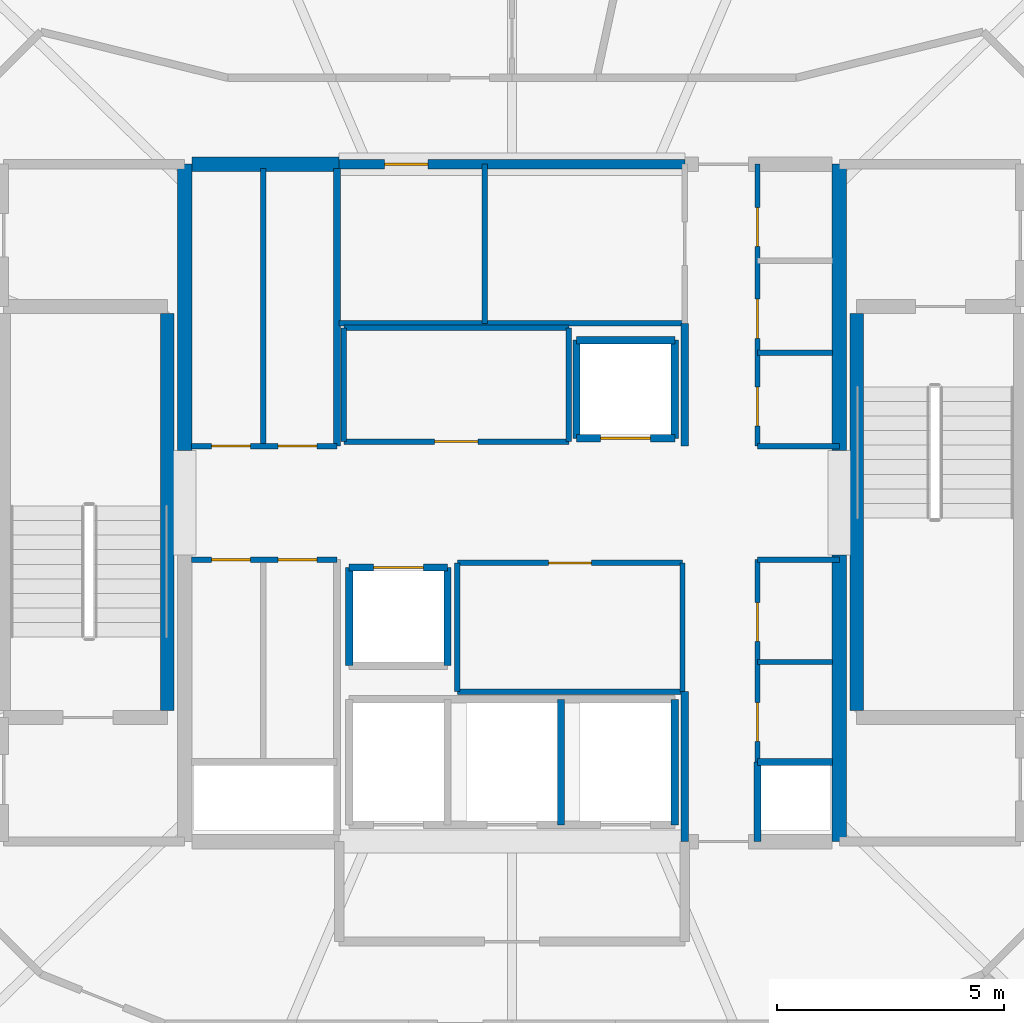
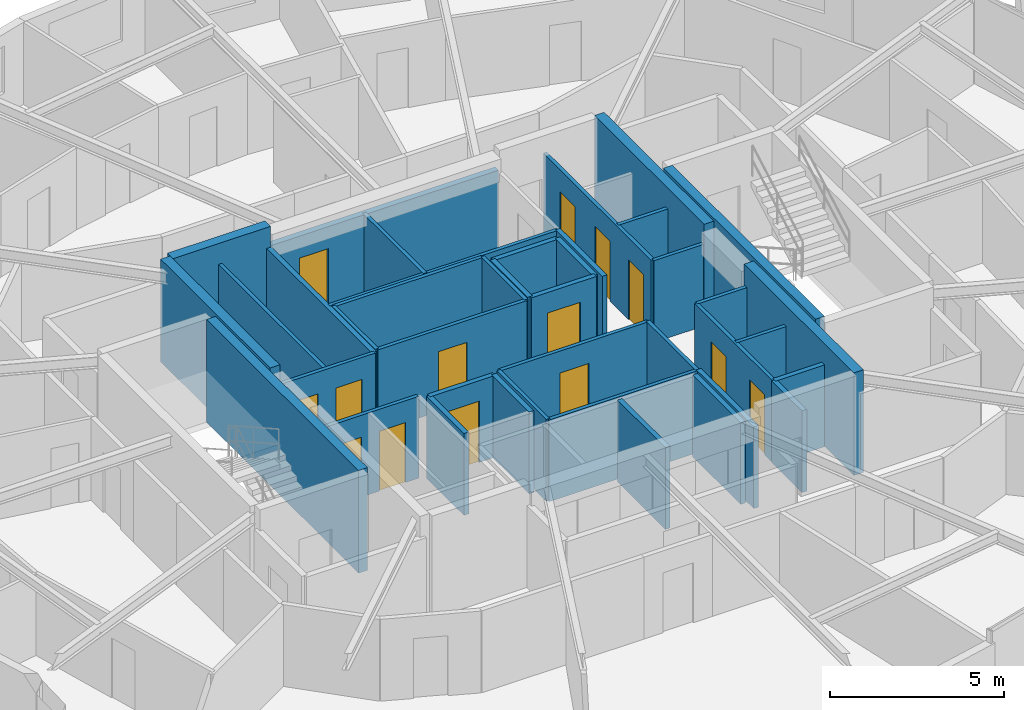
# One storey, part 13 of 17: 40 walls, 14 doors, 14 openings.
"""IFC4 building model written with IfcOpenShell, lengths in metres."""

import ifcopenshell
import ifcopenshell.guid

model = None  # the IFC model being written
_history = None  # IfcOwnerHistory: only IFC2X3 demands one
_inside = {}  # id of a spatial element -> (the spatial element, [elements in it])
_under = {}  # id of a project, library or spatial element -> (it, [spatial elements below it])
_declared = {}  # id of a project -> (the project, [libraries it declares])
_typed = {}  # id of a type object -> (the type object, [elements of that type])
_made_of = {}  # id of a material, layer set ... -> (it, [elements and type objects made of it])


def new_model(schema):
    """Start an empty IFC model of exactly this schema.

    Asked for "IFC4X3", IfcOpenShell would pick the latest addendum, in which some entities
    have other attributes; the version numbers below select the first issue.
    IFC2X3 requires an IfcOwnerHistory on every rooted entity: one is made here for all.
    """
    global model, _history
    if schema == "IFC4X3":
        model = ifcopenshell.file(schema_version=(4, 3, 0, 0))
    else:
        model = ifcopenshell.file(schema=schema)
    _inside.clear()
    _under.clear()
    _declared.clear()
    _typed.clear()
    _made_of.clear()
    _history = None
    if model.schema == "IFC2X3":
        org = make("IfcOrganization", Name="unknown")
        user = make(
            "IfcPersonAndOrganization",
            ThePerson=make("IfcPerson", FamilyName="unknown"),
            TheOrganization=org,
        )
        app = make(
            "IfcApplication",
            ApplicationDeveloper=org,
            Version="unknown",
            ApplicationFullName="unknown",
            ApplicationIdentifier="unknown",
        )
        _history = make(
            "IfcOwnerHistory",
            OwningUser=user,
            OwningApplication=app,
            ChangeAction="ADDED",
            CreationDate=0,
        )
    return model


def make(cls, **values):
    """One entity of the class cls with the attributes given. An attribute that is None is left unset."""
    return model.create_entity(
        cls, **{name: value for name, value in values.items() if value is not None}
    )


def rooted(cls, **values):
    """An entity with a GlobalId (a new one), such as an element, a storey or a relation."""
    return make(cls, GlobalId=ifcopenshell.guid.new(), OwnerHistory=_history, **values)


def si_unit(unit_type, name, prefix=None):
    """IfcSIUnit, for example si_unit("LENGTHUNIT", "METRE", prefix="MILLI")."""
    return make("IfcSIUnit", UnitType=unit_type, Prefix=prefix, Name=name)


def assignment(units):
    """IfcUnitAssignment: the units of a project."""
    return None if units is None else make("IfcUnitAssignment", Units=units)


def point(xyz):
    """IfcCartesianPoint."""
    return None if xyz is None else make("IfcCartesianPoint", Coordinates=xyz)


def direction(xyz):
    """IfcDirection."""
    return None if xyz is None else make("IfcDirection", DirectionRatios=xyz)


def frame(location, z_axis=None, x_axis=None):
    """IfcAxis2Placement3D, a coordinate frame: its origin and axes. An axis left out is left unset."""
    return make(
        "IfcAxis2Placement3D",
        Location=point(location),
        Axis=direction(z_axis),
        RefDirection=direction(x_axis),
    )


def frame_2d(location, x_axis=None):
    """IfcAxis2Placement2D, a coordinate frame in the plane: its origin and x axis."""
    return make(
        "IfcAxis2Placement2D", Location=point(location), RefDirection=direction(x_axis)
    )


def origin():
    """The frame at (0, 0, 0) with its axes left unset."""
    return frame((0.0, 0.0, 0.0))


def place(relative_to, where):
    """IfcLocalPlacement: puts the frame where relative to a parent placement (None: the world)."""
    return make(
        "IfcLocalPlacement", PlacementRelTo=relative_to, RelativePlacement=where
    )


def context(
    kind, dimensions, precision=None, world=None, true_north=None, identifier=None
):
    """IfcGeometricRepresentationContext, for example the 3D "Model" context."""
    return make(
        "IfcGeometricRepresentationContext",
        ContextIdentifier=identifier,
        ContextType=kind,
        CoordinateSpaceDimension=dimensions,
        Precision=precision,
        WorldCoordinateSystem=world,
        TrueNorth=true_north,
    )


def subcontext(parent, identifier, kind, view, scale=None):
    """IfcGeometricRepresentationSubContext, for example "Body" below "Model"."""
    return make(
        "IfcGeometricRepresentationSubContext",
        ContextIdentifier=identifier,
        ContextType=kind,
        ParentContext=parent,
        TargetScale=scale,
        TargetView=view,
    )


def project(units=None, contexts=None):
    """IfcProject with its units and contexts."""
    return rooted(
        "IfcProject",
        Name="project",
        RepresentationContexts=contexts,
        UnitsInContext=assignment(units),
    )


def spatial(cls, under=None, at=None, **own):
    """A site, building, storey or space (cls), placed at a placement, below another one or the project."""
    s = rooted(cls, ObjectPlacement=at, **own)
    if under is not None:
        _under.setdefault(under.id(), (under, []))[1].append(s)
    return s


def profile(cls, at=None, kind="AREA", **sizes):
    """A parametric profile (cls). Its sizes go by their IFC names, for example OverallWidth=200.0."""
    return make(cls, ProfileType=kind, Position=at, **sizes)


def rectangle(**sizes):
    """IfcRectangleProfileDef."""
    return profile("IfcRectangleProfileDef", **sizes)


def extrude(swept, where, along, depth):
    """IfcExtrudedAreaSolid: the profile swept, set in the frame where, extruded along a direction by depth."""
    return make(
        "IfcExtrudedAreaSolid",
        SweptArea=swept,
        Position=where,
        ExtrudedDirection=direction(along),
        Depth=depth,
    )


def shape(context_of_items, identifier, shape_type, items):
    """IfcShapeRepresentation: the items that make up one representation, for example the "Body"."""
    return make(
        "IfcShapeRepresentation",
        ContextOfItems=context_of_items,
        RepresentationIdentifier=identifier,
        RepresentationType=shape_type,
        Items=items,
    )


def material(Name=None, Category=None):
    """IfcMaterial."""
    return make("IfcMaterial", Name=Name, Category=Category)


def layer(
    of_material, thickness, ventilated=None, Name=None, Category=None, Priority=None
):
    """IfcMaterialLayer: one layer of a wall or slab, of a material (None: an air gap)."""
    return make(
        "IfcMaterialLayer",
        Material=of_material,
        LayerThickness=thickness,
        IsVentilated=ventilated,
        Name=Name,
        Category=Category,
        Priority=Priority,
    )


def layer_set(layers, Name=None):
    """IfcMaterialLayerSet."""
    return make("IfcMaterialLayerSet", MaterialLayers=layers, LayerSetName=Name)


def made_of(thing, what):
    """Note that an element or type object is made of a material, layer set ...; save() writes the relation."""
    if what is not None:
        _made_of.setdefault(what.id(), (what, []))[1].append(thing)
    return thing


def type_object(cls, material=None, **own):
    """A type object (cls), such as IfcWallType, which elements share."""
    return made_of(rooted(cls, **own), material)


def element(
    cls,
    number,
    at=None,
    inside=None,
    cuts=None,
    type_object=None,
    material=None,
    context=None,
    identifier="Body",
    shape_type=None,
    held_by="IfcProductDefinitionShape",
    body=None,
    shapes=None,
    **own,
):
    """One element of the class cls, such as IfcWall. Its Tag is "e" and its number.

    at: its placement. inside: the storey or other place that contains it. cuts: it is an
    opening in that element (IfcRelVoidsElement). A single representation is given by context,
    identifier, shape_type and body (its items); several are given by shapes. held_by: the class
    of the entity that holds the representations. save() writes the other relations.
    """
    e = rooted(cls, Tag="e%d" % number, ObjectPlacement=at, **own)
    if body is not None:
        shapes = [shape(context, identifier, shape_type, body)]
    if shapes is not None:
        e.Representation = make(held_by, Representations=shapes)
    if inside is not None:
        _inside.setdefault(inside.id(), (inside, []))[1].append(e)
    if cuts is not None:
        rooted(
            "IfcRelVoidsElement", RelatingBuildingElement=cuts, RelatedOpeningElement=e
        )
    if type_object is not None:
        _typed.setdefault(type_object.id(), (type_object, []))[1].append(e)
    return made_of(e, material)


def fill(opening, filler):
    """IfcRelFillsElement: the door or window that sits in an opening."""
    return rooted(
        "IfcRelFillsElement",
        RelatingOpeningElement=opening,
        RelatedBuildingElement=filler,
    )


def aggregate(whole, parts):
    """IfcRelAggregates: a whole, such as a stair, and the parts it consists of."""
    return rooted("IfcRelAggregates", RelatingObject=whole, RelatedObjects=parts)


def save(model, path):
    """Write the relations noted so far, then the file.

    IfcRelAggregates (storeys below a building ...), IfcRelContainedInSpatialStructure (elements
    in a storey), IfcRelDefinesByType, IfcRelAssociatesMaterial and IfcRelDeclares: one each for
    every whole, place, type object, material and project.
    """
    for whole, parts in _under.values():
        aggregate(whole, parts)
    for where, things in _inside.values():
        rooted(
            "IfcRelContainedInSpatialStructure",
            RelatedElements=things,
            RelatingStructure=where,
        )
    for kind, things in _typed.values():
        rooted("IfcRelDefinesByType", RelatedObjects=things, RelatingType=kind)
    for what, things in _made_of.values():
        rooted("IfcRelAssociatesMaterial", RelatedObjects=things, RelatingMaterial=what)
    for by, libraries in _declared.values():
        rooted("IfcRelDeclares", RelatingContext=by, RelatedDefinitions=libraries)
    model.write(path)


model = new_model("IFC4")

# Units and contexts
model_context = context("Model", 3, precision=1e-05, world=origin(), true_north=direction((0.0, 1.0)))
body_context = subcontext(model_context, "Body", "Model", "MODEL_VIEW")
ifc_project = project(units=[si_unit("LENGTHUNIT", "METRE"), si_unit("AREAUNIT", "SQUARE_METRE"), si_unit("VOLUMEUNIT", "CUBIC_METRE"), si_unit("PLANEANGLEUNIT", "RADIAN"), si_unit("MASSUNIT", "GRAM", prefix="KILO")], contexts=[model_context])

# Site, building, storey
site_placement = place(None, origin())
site = spatial("IfcSite", under=ifc_project, at=site_placement, CompositionType="ELEMENT")
building_placement = place(site_placement, origin())
building = spatial("IfcBuilding", under=site, at=building_placement, Name="Veldorina Hangang Commons", CompositionType="ELEMENT")
storey_placement = place(building_placement, frame((0.0, 0.0, 236.39990234375)))
storey = spatial("IfcBuildingStorey", under=building, at=storey_placement, Name="L61", CompositionType="ELEMENT", Elevation=236.39990234375)

# Walls
ifc_material_1 = material(Name="Concrete C50/60", Category="concrete")
ifc_layer_1 = layer(ifc_material_1, 0.320068359375)
ifc_layer_set_1 = layer_set([ifc_layer_1], Name="Concrete C50/60")
wall_type_1 = type_object("IfcWallType", Name="CW-RC320-C50", PredefinedType="SHEAR", material=ifc_layer_set_1)
for number, where, z_axis, x_axis, name in (
    (1, (24.800048828125, 25.14990234375, 0.0), (0.0, 0.0, 1.0), (0.0, 1.0, 0.0), "L61 W north core shear wall"),
    (2, (39.199951171875, 16.550048828125, 0.0), (0.0, 0.0, 1.0), (0.0, 1.0, 0.0), "L61 E south core shear wall"),
    (3, (39.199951171875, 25.14990234375, 0.0), (0.0, 0.0, 1.0), (0.0, 1.0, 0.0), "L61 E north core shear wall"),
):
    element("IfcWall", number, at=place(storey_placement, frame(where, z_axis=z_axis, x_axis=x_axis)), inside=storey, type_object=wall_type_1, Name=name, PredefinedType="SHEAR", context=body_context, shape_type="SweptSolid", body=[
        extrude(rectangle(XDim=6.300048828125, YDim=0.320068359375, at=frame_2d((3.14990234375, 0.0))), origin(), (0.0, 0.0, 1.0), 3.60009765625),
    ])
wall_1_placement = place(storey_placement, frame((24.9599609375, 31.449951171875, 0.0), z_axis=(0.0, 0.0, 1.0), x_axis=(1.0, 0.0, 0.0)))
element("IfcWall", 4, at=wall_1_placement, inside=storey, type_object=wall_type_1, Name="L61 north-west core shear wall", PredefinedType="SHEAR", context=body_context, shape_type="SweptSolid", body=[
    extrude(rectangle(XDim=3.239990234375, YDim=0.320068359375, at=frame_2d((1.6201171875, 0.0))), origin(), (0.0, 0.0, 1.0), 3.60009765625),
])
ifc_layer_2 = layer(ifc_material_1, 0.300048828125)
ifc_layer_set_2 = layer_set([ifc_layer_2], Name="Concrete C50/60")
wall_type_2 = type_object("IfcWallType", Name="SW-STAIR-300", PredefinedType="SHEAR", material=ifc_layer_set_2)
for number, where, z_axis, x_axis, name in (
    (5, (24.419921875, 19.429931640625, 0.0), (0.0, 0.0, 1.0), (0.0, 1.0, 0.0), "L61 ST1 inner stair shear wall"),
    (6, (39.580078125, 19.429931640625, 0.0), (0.0, 0.0, 1.0), (0.0, 1.0, 0.0), "L61 ST2 inner stair shear wall"),
):
    element("IfcWall", number, at=place(storey_placement, frame(where, z_axis=z_axis, x_axis=x_axis)), inside=storey, type_object=wall_type_2, Name=name, PredefinedType="SHEAR", context=body_context, shape_type="SweptSolid", body=[
        extrude(rectangle(XDim=8.739990234375, YDim=0.300048828125, at=frame_2d((4.3701171875, 0.0))), origin(), (0.0, 0.0, 1.0), 3.60009765625),
    ])
ifc_material_2 = material(Name="Gypsum Fire-Rated Twin Stud Wall", Category="gypsum")
ifc_layer_3 = layer(ifc_material_2, 0.159912109375)
ifc_layer_set_3 = layer_set([ifc_layer_3], Name="Gypsum Fire-Rated Twin Stud Wall")
wall_type_3 = type_object("IfcWallType", Name="WL-FIRE-160", PredefinedType="SOLIDWALL", material=ifc_layer_set_3)
wall_2_placement = place(storey_placement, frame((35.800048828125, 16.550048828125, 0.0), z_axis=(0.0, 0.0, 1.0), x_axis=(0.0, 1.0, 0.0)))
element("IfcWall", 7, at=wall_2_placement, inside=storey, type_object=wall_type_3, Name="L61 Lift passage SW wall 009", PredefinedType="SOLIDWALL", context=body_context, shape_type="SweptSolid", body=[
    extrude(rectangle(XDim=3.300048828125, YDim=0.159912109375, at=frame_2d((1.64990234375, 0.0))), origin(), (0.0, 0.0, 1.0), 2.8701171875),
])
wall_3_placement = place(storey_placement, frame((37.39990234375, 16.550048828125, 0.0), z_axis=(0.0, 0.0, 1.0), x_axis=(0.0, 1.0, 0.0)))
element("IfcWall", 8, at=wall_3_placement, inside=storey, type_object=wall_type_3, Name="L61 Lift passage SE stub 010", PredefinedType="SOLIDWALL", context=body_context, shape_type="SweptSolid", body=[
    extrude(rectangle(XDim=1.75, YDim=0.159912109375, at=frame_2d((0.875, 0.0))), origin(), (0.0, 0.0, 1.0), 2.8701171875),
])
wall_4_placement = place(storey_placement, frame((35.800048828125, 25.25, 0.0), z_axis=(0.0, 0.0, 1.0), x_axis=(0.0, 1.0, 0.0)))
element("IfcWall", 9, at=wall_4_placement, inside=storey, type_object=wall_type_3, Name="L61 Lift passage NW lower wall 011", PredefinedType="SOLIDWALL", context=body_context, shape_type="SweptSolid", body=[
    extrude(rectangle(XDim=2.699951171875, YDim=0.159912109375, at=frame_2d((1.35009765625, 0.0))), origin(), (0.0, 0.0, 1.0), 2.8701171875),
])

# Wall, opening, door
wall_5_placement = place(storey_placement, frame((33.419921875, 25.419921875, 0.0), z_axis=(0.0, 0.0, 1.0), x_axis=(1.0, 0.0, 0.0)))
wall_5 = element("IfcWall", 10, at=wall_5_placement, inside=storey, type_object=wall_type_3, Name="L61 Mid-high front shaft wall 015", PredefinedType="SOLIDWALL", context=body_context, shape_type="SweptSolid", body=[
    extrude(rectangle(XDim=2.16015625, YDim=0.159912109375, at=frame_2d((1.080078125, 0.0))), origin(), (0.0, 0.0, 1.0), 2.8701171875),
])
opening_1_placement = place(wall_5_placement, frame((0.530029296875, 0.0, 0.0)))
opening_1 = element("IfcOpeningElement", 11, at=opening_1_placement, cuts=wall_5, Name="Opening LD-01", PredefinedType="OPENING", context=body_context, shape_type="SweptSolid", body=[
    extrude(rectangle(XDim=1.10009765625, YDim=2.14990234375, at=frame_2d((0.550048828125, 1.074951171875))), frame((0.0, 0.08984375, 0.0), z_axis=(0.0, -1.0, 0.0), x_axis=(1.0, 0.0, 0.0)), (0.0, 0.0, 1.0), 0.179931640625),
])
ifc_material_3 = material(Name="Stainless Steel Brushed Lift Door", Category="steel")
door_type_1 = type_object("IfcDoorType", Name="DR-LIFT-1100", OperationType="SLIDING_TO_LEFT", PredefinedType="DOOR", material=ifc_material_3)
door_1_placement = place(opening_1_placement, origin())
door_1 = element("IfcDoor", 12, at=door_1_placement, inside=storey, type_object=door_type_1, Name="L61 Lift PL-H1 landing door 006", OperationType="SLIDING_TO_RIGHT", OverallHeight=2.14990234375, OverallWidth=1.10009765625, PredefinedType="DOOR", context=body_context, shape_type="SweptSolid", body=[
    extrude(rectangle(XDim=1.10009765625, YDim=2.14990234375, at=frame_2d((0.550048828125, 1.074951171875))), frame((0.0, 0.02490234375, 0.0), z_axis=(0.0, -1.0, 0.0), x_axis=(1.0, 0.0, 0.0)), (0.0, 0.0, 1.0), 0.050048828125),
])
fill(opening_1, door_1)

# Walls
for number, where, z_axis, x_axis, name in (
    (13, (33.419921875, 27.580078125, 0.0), (0.0, 0.0, 1.0), (1.0, 0.0, 0.0), "L61 Mid-high rear shaft wall 016"),
    (14, (33.419921875, 25.419921875, 0.0), (0.0, 0.0, 1.0), (0.0, 1.0, 0.0), "L61 PL-H1 west shaft wall 017"),
    (15, (35.580078125, 25.419921875, 0.0), (0.0, 0.0, 1.0), (0.0, 1.0, 0.0), "L61 PL-H1 east shaft wall 018"),
):
    element("IfcWall", number, at=place(storey_placement, frame(where, z_axis=z_axis, x_axis=x_axis)), inside=storey, type_object=wall_type_3, Name=name, PredefinedType="SOLIDWALL", context=body_context, shape_type="SweptSolid", body=[
        extrude(rectangle(XDim=2.16015625, YDim=0.159912109375, at=frame_2d((1.080078125, 0.0))), origin(), (0.0, 0.0, 1.0), 2.8701171875),
    ])

# Wall, opening, door
wall_6_placement = place(storey_placement, frame((28.419921875, 22.580078125, 0.0), z_axis=(0.0, 0.0, 1.0), x_axis=(1.0, 0.0, 0.0)))
wall_6 = element("IfcWall", 16, at=wall_6_placement, inside=storey, type_object=wall_type_3, Name="L61 Shuttle-high front shaft wall 019", PredefinedType="SOLIDWALL", context=body_context, shape_type="SweptSolid", body=[
    extrude(rectangle(XDim=2.16015625, YDim=0.159912109375, at=frame_2d((1.080078125, 0.0))), origin(), (0.0, 0.0, 1.0), 2.8701171875),
])
opening_2_placement = place(wall_6_placement, frame((0.530029296875, 0.0, 0.0)))
opening_2 = element("IfcOpeningElement", 17, at=opening_2_placement, cuts=wall_6, Name="Opening LD-01", PredefinedType="OPENING", context=body_context, shape_type="SweptSolid", body=[
    extrude(rectangle(XDim=1.10009765625, YDim=2.14990234375, at=frame_2d((0.550048828125, 1.074951171875))), frame((0.0, 0.08984375, 0.0), z_axis=(0.0, -1.0, 0.0), x_axis=(1.0, 0.0, 0.0)), (0.0, 0.0, 1.0), 0.179931640625),
])
door_2_placement = place(opening_2_placement, origin())
door_2 = element("IfcDoor", 18, at=door_2_placement, inside=storey, type_object=door_type_1, Name="L61 Lift PL-H2 landing door 007", OperationType="SLIDING_TO_LEFT", OverallHeight=2.14990234375, OverallWidth=1.10009765625, PredefinedType="DOOR", context=body_context, shape_type="SweptSolid", body=[
    extrude(rectangle(XDim=1.10009765625, YDim=2.14990234375, at=frame_2d((0.550048828125, 1.074951171875))), frame((0.0, 0.02490234375, 0.0), z_axis=(0.0, -1.0, 0.0), x_axis=(1.0, 0.0, 0.0)), (0.0, 0.0, 1.0), 0.050048828125),
])
fill(opening_2, door_2)

# Walls
for number, where, z_axis, x_axis, name in (
    (19, (28.419921875, 20.419921875, 0.0), (0.0, 0.0, 1.0), (0.0, 1.0, 0.0), "L61 PL-H2 west shaft wall 021"),
    (20, (30.580078125, 20.419921875, 0.0), (0.0, 0.0, 1.0), (0.0, 1.0, 0.0), "L61 PL-H2 east shaft wall 022"),
):
    element("IfcWall", number, at=place(storey_placement, frame(where, z_axis=z_axis, x_axis=x_axis)), inside=storey, type_object=wall_type_3, Name=name, PredefinedType="SOLIDWALL", context=body_context, shape_type="SweptSolid", body=[
        extrude(rectangle(XDim=2.16015625, YDim=0.159912109375, at=frame_2d((1.080078125, 0.0))), origin(), (0.0, 0.0, 1.0), 2.8701171875),
    ])
for number, where, z_axis, x_axis, name in (
    (21, (33.080078125, 16.919921875, 0.0), (0.0, 0.0, 1.0), (0.0, 1.0, 0.0), "L61 FFL-2 east shaft wall 027"),
    (22, (35.580078125, 16.919921875, 0.0), (0.0, 0.0, 1.0), (0.0, 1.0, 0.0), "L61 EVL-1 east shaft wall 028"),
):
    element("IfcWall", number, at=place(storey_placement, frame(where, z_axis=z_axis, x_axis=x_axis)), inside=storey, type_object=wall_type_3, Name=name, PredefinedType="SOLIDWALL", context=body_context, shape_type="SweptSolid", body=[
        extrude(rectangle(XDim=2.760009765625, YDim=0.159912109375, at=frame_2d((1.3798828125, 0.0))), origin(), (0.0, 0.0, 1.0), 2.8701171875),
    ])
wall_7_placement = place(storey_placement, frame((37.39990234375, 18.300048828125, 0.0), z_axis=(0.0, 0.0, 1.0), x_axis=(1.0, 0.0, 0.0)))
element("IfcWall", 23, at=wall_7_placement, inside=storey, type_object=wall_type_3, Name="L61 Plumbing riser wall 043", PredefinedType="SOLIDWALL", context=body_context, shape_type="SweptSolid", body=[
    extrude(rectangle(XDim=1.650146484375, YDim=0.159912109375, at=frame_2d((0.8251953125, 0.0))), origin(), (0.0, 0.0, 1.0), 2.8701171875),
])
wall_8_placement = place(storey_placement, frame((28.14990234375, 25.25, 0.0), z_axis=(0.0, 0.0, 1.0), x_axis=(0.0, 1.0, 0.0)))
element("IfcWall", 24, at=wall_8_placement, inside=storey, type_object=wall_type_3, Name="L61 NW core inner wall 044", PredefinedType="SOLIDWALL", context=body_context, shape_type="SweptSolid", body=[
    extrude(rectangle(XDim=6.10009765625, YDim=0.159912109375, at=frame_2d((3.050048828125, 0.0))), origin(), (0.0, 0.0, 1.0), 2.8701171875),
])

# Wall, opening, door
ifc_material_4 = material(Name="Concrete Blockwork Fire Wall C30/37", Category="masonry")
ifc_layer_4 = layer(ifc_material_4, 0.199951171875)
ifc_layer_set_4 = layer_set([ifc_layer_4], Name="Concrete Blockwork Fire Wall C30/37")
wall_type_4 = type_object("IfcWallType", Name="WL-FIRE-200", PredefinedType="SOLIDWALL", material=ifc_layer_set_4)
wall_9_placement = place(storey_placement, frame((28.199951171875, 31.449951171875, 0.0), z_axis=(0.0, 0.0, 1.0), x_axis=(1.0, 0.0, 0.0)))
wall_9 = element("IfcWall", 25, at=wall_9_placement, inside=storey, type_object=wall_type_4, Name="L61 Merged north core wall 029", PredefinedType="SOLIDWALL", context=body_context, shape_type="SweptSolid", body=[
    extrude(rectangle(XDim=7.60009765625, YDim=0.199951171875, at=frame_2d((3.800048828125, 0.0))), origin(), (0.0, 0.0, 1.0), 2.8701171875),
])
opening_3_placement = place(wall_9_placement, frame((1.0, 0.0, 0.0)))
opening_3 = element("IfcOpeningElement", 26, at=opening_3_placement, cuts=wall_9, Name="Opening D-02", PredefinedType="OPENING", context=body_context, shape_type="SweptSolid", body=[
    extrude(rectangle(XDim=0.949951171875, YDim=2.10009765625, at=frame_2d((0.47509765625, 1.050048828125))), frame((0.0, 0.10986328125, 0.0), z_axis=(0.0, -1.0, 0.0), x_axis=(1.0, 0.0, 0.0)), (0.0, 0.0, 1.0), 0.219970703125),
])
ifc_material_5 = material(Name="Timber Solid Core Acoustic", Category="wood")
door_type_2 = type_object("IfcDoorType", Name="DR-INT-950", OperationType="SINGLE_SWING_LEFT", PredefinedType="DOOR", material=ifc_material_5)
door_3_placement = place(opening_3_placement, origin())
door_3 = element("IfcDoor", 27, at=door_3_placement, inside=storey, type_object=door_type_2, Name="L61 Core study alcove door 011", OperationType="SINGLE_SWING_LEFT", OverallHeight=2.10009765625, OverallWidth=0.949951171875, PredefinedType="DOOR", context=body_context, shape_type="SweptSolid", body=[
    extrude(rectangle(XDim=0.949951171875, YDim=2.10009765625, at=frame_2d((0.47509765625, 1.050048828125))), frame((0.0, 0.02490234375, 0.0), z_axis=(0.0, -1.0, 0.0), x_axis=(1.0, 0.0, 0.0)), (0.0, 0.0, 1.0), 0.050048828125),
])
fill(opening_3, door_3)

# Walls
ifc_material_6 = material(Name="Gypsum Acoustic Stud Partition", Category="gypsum")
ifc_layer_5 = layer(ifc_material_6, 0.1201171875)
ifc_layer_set_5 = layer_set([ifc_layer_5], Name="Gypsum Acoustic Stud Partition")
wall_type_5 = type_object("IfcWallType", Name="WL-PART-120", PredefinedType="PARTITIONING", material=ifc_layer_set_5)
wall_10_placement = place(storey_placement, frame((28.199951171875, 27.949951171875, 0.0), z_axis=(0.0, 0.0, 1.0), x_axis=(1.0, 0.0, 0.0)))
element("IfcWall", 28, at=wall_10_placement, inside=storey, type_object=wall_type_5, Name="L61 Merged north south wall 030", PredefinedType="PARTITIONING", context=body_context, shape_type="SweptSolid", body=[
    extrude(rectangle(XDim=7.60009765625, YDim=0.1201171875, at=frame_2d((3.800048828125, 0.0))), origin(), (0.0, 0.0, 1.0), 2.8701171875),
])
wall_11_placement = place(storey_placement, frame((31.39990234375, 27.949951171875, 0.0), z_axis=(0.0, 0.0, 1.0), x_axis=(0.0, 1.0, 0.0)))
element("IfcWall", 29, at=wall_11_placement, inside=storey, type_object=wall_type_5, Name="L61 Merged north split wall 032", PredefinedType="PARTITIONING", context=body_context, shape_type="SweptSolid", body=[
    extrude(rectangle(XDim=3.5, YDim=0.1201171875, at=frame_2d((1.75, 0.0))), origin(), (0.0, 0.0, 1.0), 2.8701171875),
])

# Wall, opening, door
wall_12_placement = place(storey_placement, frame((28.300048828125, 25.35009765625, 0.0), z_axis=(0.0, 0.0, 1.0), x_axis=(1.0, 0.0, 0.0)))
wall_12 = element("IfcWall", 30, at=wall_12_placement, inside=storey, type_object=wall_type_5, Name="L61 Merged mid-bank south wall 033", PredefinedType="PARTITIONING", context=body_context, shape_type="SweptSolid", body=[
    extrude(rectangle(XDim=4.949951171875, YDim=0.1201171875, at=frame_2d((2.47509765625, 0.0))), origin(), (0.0, 0.0, 1.0), 2.8701171875),
])
opening_4_placement = place(wall_12_placement, frame((2.0, 0.0, 0.0)))
opening_4 = element("IfcOpeningElement", 31, at=opening_4_placement, cuts=wall_12, Name="Opening D-02", PredefinedType="OPENING", context=body_context, shape_type="SweptSolid", body=[
    extrude(rectangle(XDim=0.949951171875, YDim=2.10009765625, at=frame_2d((0.47509765625, 1.050048828125))), frame((0.0, 0.070068359375, 0.0), z_axis=(0.0, -1.0, 0.0), x_axis=(1.0, 0.0, 0.0)), (0.0, 0.0, 1.0), 0.14013671875),
])
door_4_placement = place(opening_4_placement, origin())
door_4 = element("IfcDoor", 32, at=door_4_placement, inside=storey, type_object=door_type_2, Name="L61 Quiet study room door 013", OperationType="SINGLE_SWING_LEFT", OverallHeight=2.10009765625, OverallWidth=0.949951171875, PredefinedType="DOOR", context=body_context, shape_type="SweptSolid", body=[
    extrude(rectangle(XDim=0.949951171875, YDim=2.10009765625, at=frame_2d((0.47509765625, 1.050048828125))), frame((0.0, 0.02490234375, 0.0), z_axis=(0.0, -1.0, 0.0), x_axis=(1.0, 0.0, 0.0)), (0.0, 0.0, 1.0), 0.050048828125),
])
fill(opening_4, door_4)

# Walls
wall_13_placement = place(storey_placement, frame((28.300048828125, 27.85009765625, 0.0), z_axis=(0.0, 0.0, 1.0), x_axis=(1.0, 0.0, 0.0)))
element("IfcWall", 33, at=wall_13_placement, inside=storey, type_object=wall_type_5, Name="L61 Merged mid-bank north wall 034", PredefinedType="PARTITIONING", context=body_context, shape_type="SweptSolid", body=[
    extrude(rectangle(XDim=4.949951171875, YDim=0.1201171875, at=frame_2d((2.47509765625, 0.0))), origin(), (0.0, 0.0, 1.0), 2.8701171875),
])
for number, where, z_axis, x_axis, name in (
    (34, (28.300048828125, 25.35009765625, 0.0), (0.0, 0.0, 1.0), (0.0, 1.0, 0.0), "L61 Merged mid-bank west wall 035"),
    (35, (33.25, 25.35009765625, 0.0), (0.0, 0.0, 1.0), (0.0, 1.0, 0.0), "L61 Merged mid-bank east wall 036"),
):
    element("IfcWall", number, at=place(storey_placement, frame(where, z_axis=z_axis, x_axis=x_axis)), inside=storey, type_object=wall_type_5, Name=name, PredefinedType="PARTITIONING", context=body_context, shape_type="SweptSolid", body=[
        extrude(rectangle(XDim=2.5, YDim=0.1201171875, at=frame_2d((1.25, 0.0))), origin(), (0.0, 0.0, 1.0), 2.8701171875),
    ])

# Wall, opening, door
wall_14_placement = place(storey_placement, frame((30.800048828125, 22.679931640625, 0.0), z_axis=(0.0, 0.0, 1.0), x_axis=(1.0, 0.0, 0.0)))
wall_14 = element("IfcWall", 36, at=wall_14_placement, inside=storey, type_object=wall_type_5, Name="L61 Merged shuttle north wall 037", PredefinedType="PARTITIONING", context=body_context, shape_type="SweptSolid", body=[
    extrude(rectangle(XDim=4.949951171875, YDim=0.1201171875, at=frame_2d((2.47509765625, 0.0))), origin(), (0.0, 0.0, 1.0), 2.8701171875),
])
opening_5_placement = place(wall_14_placement, frame((2.0, 0.0, 0.0)))
opening_5 = element("IfcOpeningElement", 37, at=opening_5_placement, cuts=wall_14, Name="Opening D-02", PredefinedType="OPENING", context=body_context, shape_type="SweptSolid", body=[
    extrude(rectangle(XDim=0.949951171875, YDim=2.10009765625, at=frame_2d((0.47509765625, 1.050048828125))), frame((0.0, 0.070068359375, 0.0), z_axis=(0.0, -1.0, 0.0), x_axis=(1.0, 0.0, 0.0)), (0.0, 0.0, 1.0), 0.14013671875),
])
door_5_placement = place(opening_5_placement, origin())
door_5 = element("IfcDoor", 38, at=door_5_placement, inside=storey, type_object=door_type_2, Name="L61 Floor tea pantry door 014", OperationType="SINGLE_SWING_RIGHT", OverallHeight=2.10009765625, OverallWidth=0.949951171875, PredefinedType="DOOR", context=body_context, shape_type="SweptSolid", body=[
    extrude(rectangle(XDim=0.949951171875, YDim=2.10009765625, at=frame_2d((0.47509765625, 1.050048828125))), frame((0.0, 0.02490234375, 0.0), z_axis=(0.0, -1.0, 0.0), x_axis=(1.0, 0.0, 0.0)), (0.0, 0.0, 1.0), 0.050048828125),
])
fill(opening_5, door_5)

# Walls
wall_15_placement = place(storey_placement, frame((30.800048828125, 19.85009765625, 0.0), z_axis=(0.0, 0.0, 1.0), x_axis=(1.0, 0.0, 0.0)))
element("IfcWall", 39, at=wall_15_placement, inside=storey, type_object=wall_type_5, Name="L61 Merged shuttle south wall 038", PredefinedType="PARTITIONING", context=body_context, shape_type="SweptSolid", body=[
    extrude(rectangle(XDim=4.949951171875, YDim=0.1201171875, at=frame_2d((2.47509765625, 0.0))), origin(), (0.0, 0.0, 1.0), 2.8701171875),
])
for number, where, z_axis, x_axis, name in (
    (40, (30.800048828125, 19.85009765625, 0.0), (0.0, 0.0, 1.0), (0.0, 1.0, 0.0), "L61 Merged shuttle west wall 039"),
    (41, (35.75, 19.85009765625, 0.0), (0.0, 0.0, 1.0), (0.0, 1.0, 0.0), "L61 Merged shuttle east wall 040"),
):
    element("IfcWall", number, at=place(storey_placement, frame(where, z_axis=z_axis, x_axis=x_axis)), inside=storey, type_object=wall_type_5, Name=name, PredefinedType="PARTITIONING", context=body_context, shape_type="SweptSolid", body=[
        extrude(rectangle(XDim=2.829833984375, YDim=0.1201171875, at=frame_2d((1.4150390625, 0.0))), origin(), (0.0, 0.0, 1.0), 2.8701171875),
    ])

# Wall, openings, doors
wall_16_placement = place(storey_placement, frame((24.949951171875, 25.25, 0.0), z_axis=(0.0, 0.0, 1.0), x_axis=(1.0, 0.0, 0.0)))
wall_16 = element("IfcWall", 42, at=wall_16_placement, inside=storey, type_object=wall_type_5, Name="L61 NW service south wall 045", PredefinedType="PARTITIONING", context=body_context, shape_type="SweptSolid", body=[
    extrude(rectangle(XDim=3.199951171875, YDim=0.1201171875, at=frame_2d((1.60009765625, 0.0))), origin(), (0.0, 0.0, 1.0), 2.8701171875),
])
opening_6_placement = place(wall_16_placement, frame((0.43994140625, 0.0, 0.0)))
opening_6 = element("IfcOpeningElement", 43, at=opening_6_placement, cuts=wall_16, Name="Opening D-01", PredefinedType="OPENING", context=body_context, shape_type="SweptSolid", body=[
    extrude(rectangle(XDim=0.860107421875, YDim=2.10009765625, at=frame_2d((0.43017578125, 1.050048828125))), frame((0.0, 0.070068359375, 0.0), z_axis=(0.0, -1.0, 0.0), x_axis=(1.0, 0.0, 0.0)), (0.0, 0.0, 1.0), 0.14013671875),
])
opening_7_placement = place(wall_16_placement, frame((1.89990234375, 0.0, 0.0)))
opening_7 = element("IfcOpeningElement", 44, at=opening_7_placement, cuts=wall_16, Name="Opening D-01", PredefinedType="OPENING", context=body_context, shape_type="SweptSolid", body=[
    extrude(rectangle(XDim=0.860107421875, YDim=2.10009765625, at=frame_2d((0.43017578125, 1.050048828125))), frame((0.0, 0.070068359375, 0.0), z_axis=(0.0, -1.0, 0.0), x_axis=(1.0, 0.0, 0.0)), (0.0, 0.0, 1.0), 0.14013671875),
])
ifc_material_7 = material(Name="Timber Moisture-Resistant Core", Category="wood")
door_type_3 = type_object("IfcDoorType", Name="DR-WET-860", OperationType="SINGLE_SWING_LEFT", PredefinedType="DOOR", material=ifc_material_7)
door_6_placement = place(opening_6_placement, origin())
door_6 = element("IfcDoor", 45, at=door_6_placement, inside=storey, type_object=door_type_3, Name="L61 Linen west door 015", OperationType="SINGLE_SWING_LEFT", OverallHeight=2.10009765625, OverallWidth=0.860107421875, PredefinedType="DOOR", context=body_context, shape_type="SweptSolid", body=[
    extrude(rectangle(XDim=0.860107421875, YDim=2.10009765625, at=frame_2d((0.43017578125, 1.050048828125))), frame((0.0, 0.02490234375, 0.0), z_axis=(0.0, -1.0, 0.0), x_axis=(1.0, 0.0, 0.0)), (0.0, 0.0, 1.0), 0.050048828125),
])
fill(opening_6, door_6)
door_7_placement = place(opening_7_placement, origin())
door_7 = element("IfcDoor", 46, at=door_7_placement, inside=storey, type_object=door_type_3, Name="L61 Data closet door 016", OperationType="SINGLE_SWING_RIGHT", OverallHeight=2.10009765625, OverallWidth=0.860107421875, PredefinedType="DOOR", context=body_context, shape_type="SweptSolid", body=[
    extrude(rectangle(XDim=0.860107421875, YDim=2.10009765625, at=frame_2d((0.43017578125, 1.050048828125))), frame((0.0, 0.02490234375, 0.0), z_axis=(0.0, -1.0, 0.0), x_axis=(1.0, 0.0, 0.0)), (0.0, 0.0, 1.0), 0.050048828125),
])
fill(opening_7, door_7)

wall_17_placement = place(storey_placement, frame((24.949951171875, 22.75, 0.0), z_axis=(0.0, 0.0, 1.0), x_axis=(1.0, 0.0, 0.0)))
wall_17 = element("IfcWall", 47, at=wall_17_placement, inside=storey, type_object=wall_type_5, Name="L61 SW service north wall 046", PredefinedType="PARTITIONING", context=body_context, shape_type="SweptSolid", body=[
    extrude(rectangle(XDim=3.199951171875, YDim=0.1201171875, at=frame_2d((1.60009765625, 0.0))), origin(), (0.0, 0.0, 1.0), 2.8701171875),
])
opening_8_placement = place(wall_17_placement, frame((0.43994140625, 0.0, 0.0)))
opening_8 = element("IfcOpeningElement", 48, at=opening_8_placement, cuts=wall_17, Name="Opening D-01", PredefinedType="OPENING", context=body_context, shape_type="SweptSolid", body=[
    extrude(rectangle(XDim=0.860107421875, YDim=2.10009765625, at=frame_2d((0.43017578125, 1.050048828125))), frame((0.0, 0.070068359375, 0.0), z_axis=(0.0, -1.0, 0.0), x_axis=(1.0, 0.0, 0.0)), (0.0, 0.0, 1.0), 0.14013671875),
])
opening_9_placement = place(wall_17_placement, frame((1.89990234375, 0.0, 0.0)))
opening_9 = element("IfcOpeningElement", 49, at=opening_9_placement, cuts=wall_17, Name="Opening D-01", PredefinedType="OPENING", context=body_context, shape_type="SweptSolid", body=[
    extrude(rectangle(XDim=0.860107421875, YDim=2.10009765625, at=frame_2d((0.43017578125, 1.050048828125))), frame((0.0, 0.070068359375, 0.0), z_axis=(0.0, -1.0, 0.0), x_axis=(1.0, 0.0, 0.0)), (0.0, 0.0, 1.0), 0.14013671875),
])
door_8_placement = place(opening_8_placement, origin())
door_8 = element("IfcDoor", 50, at=door_8_placement, inside=storey, type_object=door_type_3, Name="L61 Cleaners door 017", OperationType="SINGLE_SWING_LEFT", OverallHeight=2.10009765625, OverallWidth=0.860107421875, PredefinedType="DOOR", context=body_context, shape_type="SweptSolid", body=[
    extrude(rectangle(XDim=0.860107421875, YDim=2.10009765625, at=frame_2d((0.43017578125, 1.050048828125))), frame((0.0, 0.02490234375, 0.0), z_axis=(0.0, -1.0, 0.0), x_axis=(1.0, 0.0, 0.0)), (0.0, 0.0, 1.0), 0.050048828125),
])
fill(opening_8, door_8)
door_9_placement = place(opening_9_placement, origin())
door_9 = element("IfcDoor", 51, at=door_9_placement, inside=storey, type_object=door_type_3, Name="L61 Metering door 018", OperationType="SINGLE_SWING_RIGHT", OverallHeight=2.10009765625, OverallWidth=0.860107421875, PredefinedType="DOOR", context=body_context, shape_type="SweptSolid", body=[
    extrude(rectangle(XDim=0.860107421875, YDim=2.10009765625, at=frame_2d((0.43017578125, 1.050048828125))), frame((0.0, 0.02490234375, 0.0), z_axis=(0.0, -1.0, 0.0), x_axis=(1.0, 0.0, 0.0)), (0.0, 0.0, 1.0), 0.050048828125),
])
fill(opening_9, door_9)

wall_18_placement = place(storey_placement, frame((37.39990234375, 25.25, 0.0), z_axis=(0.0, 0.0, 1.0), x_axis=(0.0, 1.0, 0.0)))
wall_18 = element("IfcWall", 52, at=wall_18_placement, inside=storey, type_object=wall_type_5, Name="L61 NE strip lobby wall 047", PredefinedType="PARTITIONING", context=body_context, shape_type="SweptSolid", body=[
    extrude(rectangle(XDim=6.199951171875, YDim=0.1201171875, at=frame_2d((3.10009765625, 0.0))), origin(), (0.0, 0.0, 1.0), 2.8701171875),
])
opening_10_placement = place(wall_18_placement, frame((0.43994140625, 0.0, 0.0)))
opening_10 = element("IfcOpeningElement", 53, at=opening_10_placement, cuts=wall_18, Name="Opening D-01", PredefinedType="OPENING", context=body_context, shape_type="SweptSolid", body=[
    extrude(rectangle(XDim=0.860107421875, YDim=2.10009765625, at=frame_2d((0.43017578125, 1.050048828125))), frame((0.0, 0.070068359375, 0.0), z_axis=(0.0, -1.0, 0.0), x_axis=(1.0, 0.0, 0.0)), (0.0, 0.0, 1.0), 0.14013671875),
])
opening_11_placement = place(wall_18_placement, frame((2.3701171875, 0.0, 0.0)))
opening_11 = element("IfcOpeningElement", 54, at=opening_11_placement, cuts=wall_18, Name="Opening D-01", PredefinedType="OPENING", context=body_context, shape_type="SweptSolid", body=[
    extrude(rectangle(XDim=0.860107421875, YDim=2.10009765625, at=frame_2d((0.43017578125, 1.050048828125))), frame((0.0, 0.070068359375, 0.0), z_axis=(0.0, -1.0, 0.0), x_axis=(1.0, 0.0, 0.0)), (0.0, 0.0, 1.0), 0.14013671875),
])
opening_12_placement = place(wall_18_placement, frame((4.389892578125, 0.0, 0.0)))
opening_12 = element("IfcOpeningElement", 55, at=opening_12_placement, cuts=wall_18, Name="Opening D-01", PredefinedType="OPENING", context=body_context, shape_type="SweptSolid", body=[
    extrude(rectangle(XDim=0.860107421875, YDim=2.10009765625, at=frame_2d((0.43017578125, 1.050048828125))), frame((0.0, 0.070068359375, 0.0), z_axis=(0.0, -1.0, 0.0), x_axis=(1.0, 0.0, 0.0)), (0.0, 0.0, 1.0), 0.14013671875),
])
door_10_placement = place(opening_10_placement, origin())
door_10 = element("IfcDoor", 56, at=door_10_placement, inside=storey, type_object=door_type_3, Name="L61 Fiber Riser Closet door 019", OperationType="SINGLE_SWING_LEFT", OverallHeight=2.10009765625, OverallWidth=0.860107421875, PredefinedType="DOOR", context=body_context, shape_type="SweptSolid", body=[
    extrude(rectangle(XDim=0.860107421875, YDim=2.10009765625, at=frame_2d((0.43017578125, 1.050048828125))), frame((0.0, 0.02490234375, 0.0), z_axis=(0.0, -1.0, 0.0), x_axis=(1.0, 0.0, 0.0)), (0.0, 0.0, 1.0), 0.050048828125),
])
fill(opening_10, door_10)
door_11_placement = place(opening_11_placement, origin())
door_11 = element("IfcDoor", 57, at=door_11_placement, inside=storey, type_object=door_type_3, Name="L61 AV Rack Closet door 020", OperationType="SINGLE_SWING_RIGHT", OverallHeight=2.10009765625, OverallWidth=0.860107421875, PredefinedType="DOOR", context=body_context, shape_type="SweptSolid", body=[
    extrude(rectangle(XDim=0.860107421875, YDim=2.10009765625, at=frame_2d((0.43017578125, 1.050048828125))), frame((0.0, 0.02490234375, 0.0), z_axis=(0.0, -1.0, 0.0), x_axis=(1.0, 0.0, 0.0)), (0.0, 0.0, 1.0), 0.050048828125),
])
fill(opening_11, door_11)
door_12_placement = place(opening_12_placement, origin())
door_12 = element("IfcDoor", 58, at=door_12_placement, inside=storey, type_object=door_type_3, Name="L61 Supply Closet door 021", OperationType="SINGLE_SWING_LEFT", OverallHeight=2.10009765625, OverallWidth=0.860107421875, PredefinedType="DOOR", context=body_context, shape_type="SweptSolid", body=[
    extrude(rectangle(XDim=0.860107421875, YDim=2.10009765625, at=frame_2d((0.43017578125, 1.050048828125))), frame((0.0, 0.02490234375, 0.0), z_axis=(0.0, -1.0, 0.0), x_axis=(1.0, 0.0, 0.0)), (0.0, 0.0, 1.0), 0.050048828125),
])
fill(opening_12, door_12)

# Wall
wall_19_placement = place(storey_placement, frame((37.39990234375, 25.25, 0.0), z_axis=(0.0, 0.0, 1.0), x_axis=(1.0, 0.0, 0.0)))
element("IfcWall", 59, at=wall_19_placement, inside=storey, type_object=wall_type_5, Name="L61 NE strip south return wall 048", PredefinedType="PARTITIONING", context=body_context, shape_type="SweptSolid", body=[
    extrude(rectangle(XDim=1.800048828125, YDim=0.1201171875, at=frame_2d((0.89990234375, 0.0))), origin(), (0.0, 0.0, 1.0), 2.8701171875),
])

# Wall, openings, doors
wall_20_placement = place(storey_placement, frame((37.39990234375, 18.300048828125, 0.0), z_axis=(0.0, 0.0, 1.0), x_axis=(0.0, 1.0, 0.0)))
wall_20 = element("IfcWall", 60, at=wall_20_placement, inside=storey, type_object=wall_type_5, Name="L61 SE strip lobby wall 049", PredefinedType="PARTITIONING", context=body_context, shape_type="SweptSolid", body=[
    extrude(rectangle(XDim=4.449951171875, YDim=0.1201171875, at=frame_2d((2.22509765625, 0.0))), origin(), (0.0, 0.0, 1.0), 2.8701171875),
])
opening_13_placement = place(wall_20_placement, frame((0.449951171875, 0.0, 0.0)))
opening_13 = element("IfcOpeningElement", 61, at=opening_13_placement, cuts=wall_20, Name="Opening D-01", PredefinedType="OPENING", context=body_context, shape_type="SweptSolid", body=[
    extrude(rectangle(XDim=0.860107421875, YDim=2.10009765625, at=frame_2d((0.43017578125, 1.050048828125))), frame((0.0, 0.070068359375, 0.0), z_axis=(0.0, -1.0, 0.0), x_axis=(1.0, 0.0, 0.0)), (0.0, 0.0, 1.0), 0.14013671875),
])
opening_14_placement = place(wall_20_placement, frame((2.64990234375, 0.0, 0.0)))
opening_14 = element("IfcOpeningElement", 62, at=opening_14_placement, cuts=wall_20, Name="Opening D-01", PredefinedType="OPENING", context=body_context, shape_type="SweptSolid", body=[
    extrude(rectangle(XDim=0.860107421875, YDim=2.10009765625, at=frame_2d((0.43017578125, 1.050048828125))), frame((0.0, 0.070068359375, 0.0), z_axis=(0.0, -1.0, 0.0), x_axis=(1.0, 0.0, 0.0)), (0.0, 0.0, 1.0), 0.14013671875),
])
door_13_placement = place(opening_13_placement, origin())
door_13 = element("IfcDoor", 63, at=door_13_placement, inside=storey, type_object=door_type_3, Name="L61 Janitor sink door 022", OperationType="SINGLE_SWING_RIGHT", OverallHeight=2.10009765625, OverallWidth=0.860107421875, PredefinedType="DOOR", context=body_context, shape_type="SweptSolid", body=[
    extrude(rectangle(XDim=0.860107421875, YDim=2.10009765625, at=frame_2d((0.43017578125, 1.050048828125))), frame((0.0, 0.02490234375, 0.0), z_axis=(0.0, -1.0, 0.0), x_axis=(1.0, 0.0, 0.0)), (0.0, 0.0, 1.0), 0.050048828125),
])
fill(opening_13, door_13)
door_14_placement = place(opening_14_placement, origin())
door_14 = element("IfcDoor", 64, at=door_14_placement, inside=storey, type_object=door_type_3, Name="L61 Fire panel door 023", OperationType="SINGLE_SWING_LEFT", OverallHeight=2.10009765625, OverallWidth=0.860107421875, PredefinedType="DOOR", context=body_context, shape_type="SweptSolid", body=[
    extrude(rectangle(XDim=0.860107421875, YDim=2.10009765625, at=frame_2d((0.43017578125, 1.050048828125))), frame((0.0, 0.02490234375, 0.0), z_axis=(0.0, -1.0, 0.0), x_axis=(1.0, 0.0, 0.0)), (0.0, 0.0, 1.0), 0.050048828125),
])
fill(opening_14, door_14)

# Walls
wall_21_placement = place(storey_placement, frame((37.39990234375, 22.75, 0.0), z_axis=(0.0, 0.0, 1.0), x_axis=(1.0, 0.0, 0.0)))
element("IfcWall", 65, at=wall_21_placement, inside=storey, type_object=wall_type_5, Name="L61 SE strip north return wall 050", PredefinedType="PARTITIONING", context=body_context, shape_type="SweptSolid", body=[
    extrude(rectangle(XDim=1.800048828125, YDim=0.1201171875, at=frame_2d((0.89990234375, 0.0))), origin(), (0.0, 0.0, 1.0), 2.8701171875),
])
wall_22_placement = place(storey_placement, frame((26.530029296875, 25.25, 0.0), z_axis=(0.0, 0.0, 1.0), x_axis=(0.0, 1.0, 0.0)))
element("IfcWall", 66, at=wall_22_placement, inside=storey, type_object=wall_type_5, Name="L61 NW vertical split 051", PredefinedType="PARTITIONING", context=body_context, shape_type="SweptSolid", body=[
    extrude(rectangle(XDim=6.10009765625, YDim=0.1201171875, at=frame_2d((3.050048828125, 0.0))), origin(), (0.0, 0.0, 1.0), 2.8701171875),
])
for number, where, z_axis, x_axis, name in (
    (67, (37.39990234375, 27.300048828125, 0.0), (0.0, 0.0, 1.0), (1.0, 0.0, 0.0), "L61 NE split 1 053"),
    (68, (37.39990234375, 20.5, 0.0), (0.0, 0.0, 1.0), (1.0, 0.0, 0.0), "L61 SE horizontal split 055"),
):
    element("IfcWall", number, at=place(storey_placement, frame(where, z_axis=z_axis, x_axis=x_axis)), inside=storey, type_object=wall_type_5, Name=name, PredefinedType="PARTITIONING", context=body_context, shape_type="SweptSolid", body=[
        extrude(rectangle(XDim=1.650146484375, YDim=0.1201171875, at=frame_2d((0.8251953125, 0.0))), origin(), (0.0, 0.0, 1.0), 2.8701171875),
    ])

save(model, "model.ifc")
